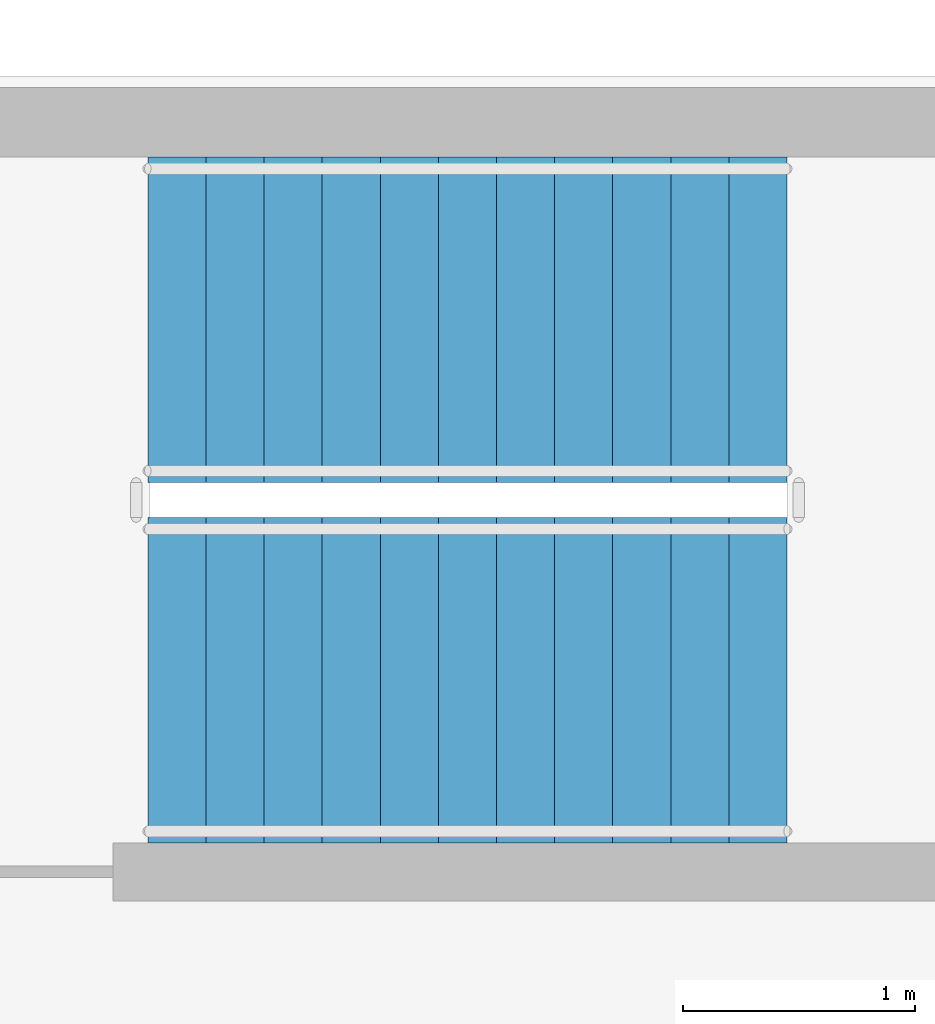
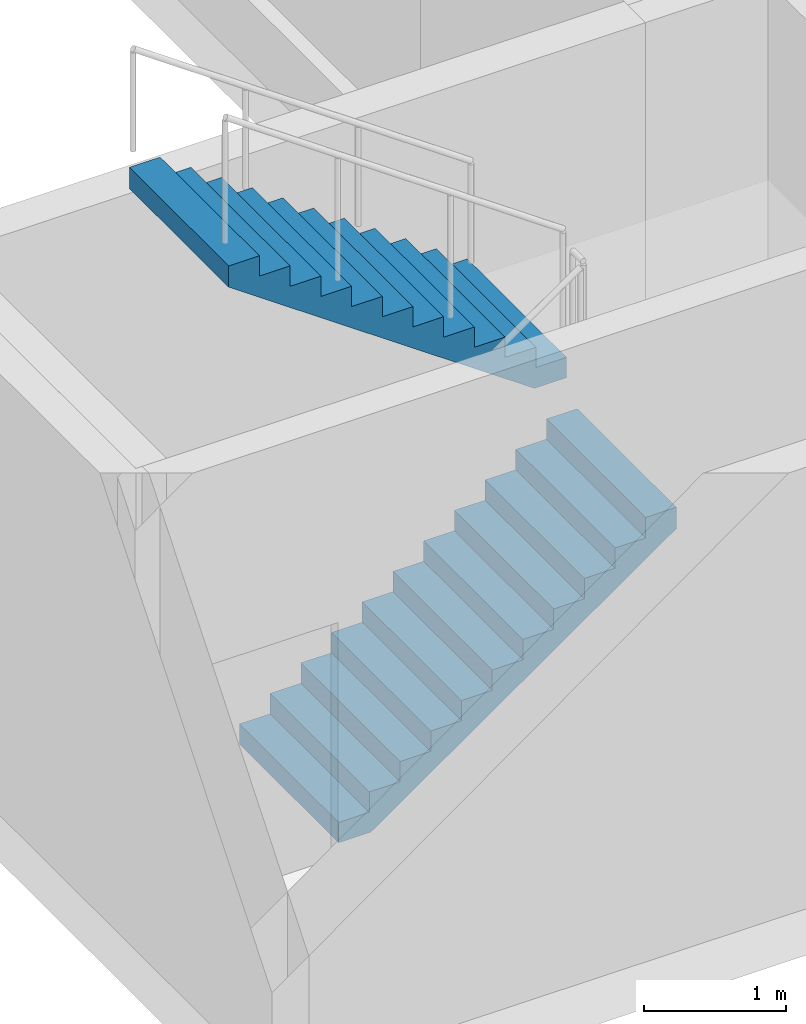
# One storey, part 10 of 15: 2 stair flights, 1 element without a shape of its own.
"""IFC4 building model written with IfcOpenShell, lengths in metres."""

from ifc_helpers import new_model, si_unit, direction, frame, origin, place, context, subcontext, project, spatial, polyline, outline, extrude, source, transform, mapped, material, type_object, element, aggregate, save


model = new_model("IFC4")

# Units and contexts
model_context = context("Model", 3, precision=1e-05, world=origin(), true_north=direction((0.0, 1.0)))
body_context = subcontext(model_context, "Body", "Model", "MODEL_VIEW")
ifc_project = project(units=[si_unit("LENGTHUNIT", "METRE"), si_unit("AREAUNIT", "SQUARE_METRE"), si_unit("VOLUMEUNIT", "CUBIC_METRE"), si_unit("PLANEANGLEUNIT", "RADIAN"), si_unit("MASSUNIT", "GRAM", prefix="KILO")], contexts=[model_context])

# Site, building, storey
site_placement = place(None, origin())
site = spatial("IfcSite", under=ifc_project, at=site_placement, CompositionType="ELEMENT")
building_placement = place(site_placement, origin())
building = spatial("IfcBuilding", under=site, at=building_placement, Name="Aurelian Terraces", CompositionType="ELEMENT")
storey_placement = place(building_placement, frame((0.0, 0.0, 107.7)))
storey = spatial("IfcBuildingStorey", under=building, at=storey_placement, Name="L23", CompositionType="ELEMENT", Elevation=107.7)

# Stair, stair flights
ifc_material = material(Name="Concrete fc' 40 MPa", Category="concrete")
stair_type = type_object("IfcStairType", Name="Stair 1400", PredefinedType="HALF_TURN_STAIR", material=ifc_material)
stair_placement = place(storey_placement, origin())
stair = element("IfcStair", 1, at=stair_placement, inside=storey, type_object=stair_type, Name="L23 S3", PredefinedType="HALF_TURN_STAIR")
stair_flight_type = type_object("IfcStairFlightType", Name="Stair flight 1400", PredefinedType="STRAIGHT", material=ifc_material)
shared_shape = source(origin(), body_context, "Body", "SweptSolid", [
    extrude(outline(polyline([(0.0, 0.0), (0.0, 0.175), (0.25, 0.175), (0.25, 0.35), (0.5, 0.35), (0.5, 0.525), (0.75, 0.525), (0.75, 0.7), (1.0, 0.7), (1.0, 0.875), (1.25, 0.875), (1.25, 1.05), (1.5, 1.05), (1.5, 1.225), (1.75, 1.225), (1.75, 1.4), (2.0, 1.4), (2.0, 1.575), (2.25, 1.575), (2.25, 1.75), (2.5, 1.75), (2.5, 1.925), (2.75, 1.925), (2.75, 2.1), (2.75, 1.7419), (0.2616, 0.0), (0.0, 0.0)])), frame((0.0, 0.7, 0.0), z_axis=(0.0, -1.0, 0.0), x_axis=(1.0, 0.0, 0.0)), (0.0, 0.0, 1.0), 1.4),
])
stair_flight_1_placement = place(storey_placement, frame((2.1, 41.35, 2e-08), z_axis=(0.0, 0.0, 1.0), x_axis=(1.0, 0.0, 0.0)))
stair_flight_1 = element("IfcStairFlight", 2, at=stair_flight_1_placement, type_object=stair_flight_type, Name="S3 flight 1", NumberOfRisers=12, NumberOfTreads=11, PredefinedType="STRAIGHT", RiserHeight=0.175, TreadLength=0.25, context=body_context, shape_type="MappedRepresentation", body=[
    mapped(shared_shape, transform((0.0, 0.0, 0.0), scale=1.0)),
])
stair_flight_2_placement = place(storey_placement, frame((4.85, 42.9, 2.100000019999994), z_axis=(0.0, 0.0, 1.0), x_axis=(-1.0, 0.0, 0.0)))
stair_flight_2 = element("IfcStairFlight", 3, at=stair_flight_2_placement, type_object=stair_flight_type, Name="S3 flight 2", NumberOfRisers=12, NumberOfTreads=11, PredefinedType="STRAIGHT", RiserHeight=0.175, TreadLength=0.25, context=body_context, shape_type="MappedRepresentation", body=[
    mapped(shared_shape, transform((0.0, 0.0, 0.0), scale=1.0)),
])
aggregate(stair, [stair_flight_1, stair_flight_2])

save(model, "model.ifc")
